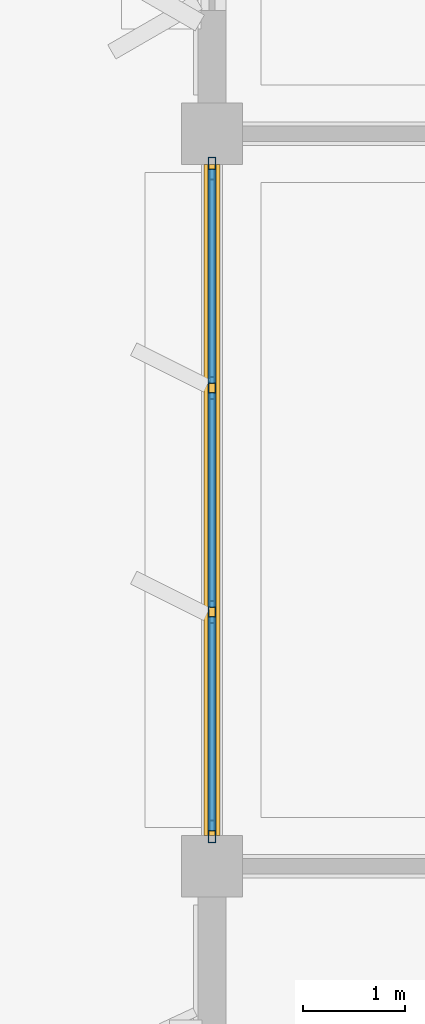
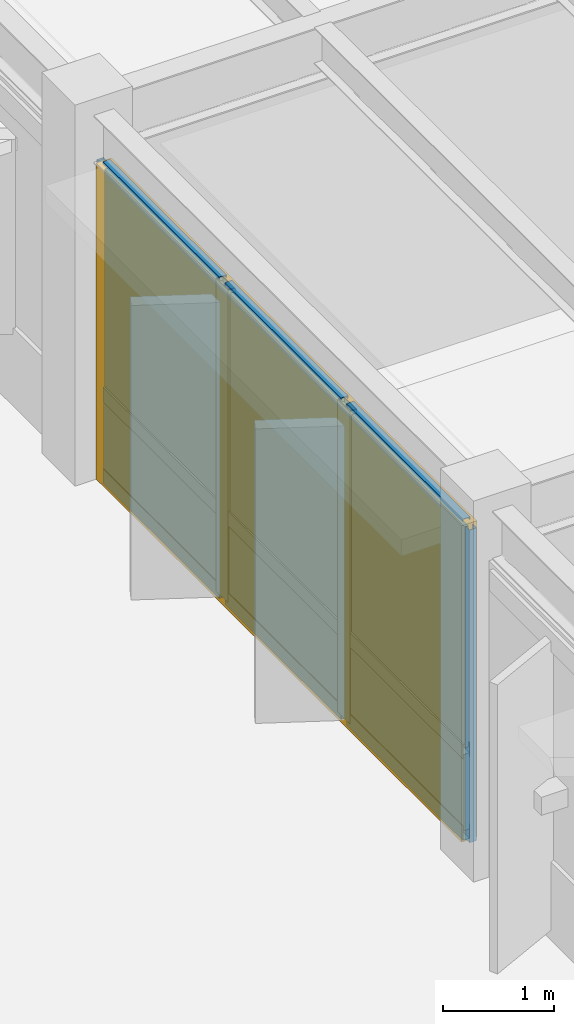
# One storey, part 55 of 85: 13 members, 6 plates, 1 curtain wall.
"""IFC4 building model written with IfcOpenShell, lengths in metres."""

from ifc_helpers import new_model, si_unit, direction, frame, origin, origin_2d, place, context, subcontext, project, spatial, rectangle, hollow_rectangle, extrude, material, layer, layer_set, material_profile, profile_set, type_object, element, aggregate, save


model = new_model("IFC4")

# Units and contexts
model_context = context("Model", 3, precision=1e-05, world=origin(), true_north=direction((0.0, 1.0)))
body_context = subcontext(model_context, "Body", "Model", "MODEL_VIEW")
ifc_project = project(units=[si_unit("LENGTHUNIT", "METRE"), si_unit("AREAUNIT", "SQUARE_METRE"), si_unit("VOLUMEUNIT", "CUBIC_METRE"), si_unit("PLANEANGLEUNIT", "RADIAN"), si_unit("MASSUNIT", "GRAM", prefix="KILO")], contexts=[model_context])

# Member
ifc_material_1 = material(Name="Anodized Aluminium 6063-T6", Category="aluminium")
ifc_material_profile_1 = material_profile(ifc_material_1, hollow_rectangle(XDim=0.074951171875, YDim=0.219970703125, WallThickness=0.0048828125, at=origin_2d()), Name="ALU 75x220x5")
ifc_profile_set_1 = profile_set([ifc_material_profile_1], Name="Anodized Aluminium 6063-T6")
member_type_1 = type_object("IfcMemberType", Name="CWM-75X180", PredefinedType="MULLION", material=ifc_profile_set_1)
site_placement = place(None, origin())
building_placement = place(site_placement, origin())
storey_placement = place(building_placement, frame((0.0, 0.0, 9.89990234375)))
member_1_placement = place(storey_placement, frame((43.199951171875, 101.139892578125, 0.02001953125), z_axis=(0.0, 0.0, 1.0), x_axis=(1.0, 0.0, 0.0)))
member_1 = element("IfcMember", 1, at=member_1_placement, type_object=member_type_1, Name="Curtain wall mullion CW-L03-06-14-W-00", PredefinedType="MULLION", context=body_context, shape_type="SweptSolid", body=[
    extrude(hollow_rectangle(XDim=0.074951171875, YDim=0.219970703125, WallThickness=0.0048828125, at=origin_2d()), origin(), (0.0, 0.0, 1.0), 3.447021484375),
])

member_2_placement = place(storey_placement, frame((43.199951171875, 103.300048828125, 0.02001953125), z_axis=(0.0, 0.0, 1.0), x_axis=(1.0, 0.0, 0.0)))
member_2 = element("IfcMember", 2, at=member_2_placement, type_object=member_type_1, Name="Curtain wall mullion CW-L03-06-14-W-01", PredefinedType="MULLION", context=body_context, shape_type="SweptSolid", body=[
    extrude(hollow_rectangle(XDim=0.074951171875, YDim=0.219970703125, WallThickness=0.0048828125, at=origin_2d()), origin(), (0.0, 0.0, 1.0), 3.447021484375),
])

member_3_placement = place(storey_placement, frame((43.199951171875, 105.5, 0.02001953125), z_axis=(0.0, 0.0, 1.0), x_axis=(1.0, 0.0, 0.0)))
member_3 = element("IfcMember", 3, at=member_3_placement, type_object=member_type_1, Name="Curtain wall mullion CW-L03-06-14-W-02", PredefinedType="MULLION", context=body_context, shape_type="SweptSolid", body=[
    extrude(hollow_rectangle(XDim=0.074951171875, YDim=0.219970703125, WallThickness=0.0048828125, at=origin_2d()), origin(), (0.0, 0.0, 1.0), 3.447021484375),
])

member_4_placement = place(storey_placement, frame((43.199951171875, 107.659912109375, 0.02001953125), z_axis=(0.0, 0.0, 1.0), x_axis=(1.0, 0.0, 0.0)))
member_4 = element("IfcMember", 4, at=member_4_placement, type_object=member_type_1, Name="Curtain wall mullion CW-L03-06-14-W-03", PredefinedType="MULLION", context=body_context, shape_type="SweptSolid", body=[
    extrude(hollow_rectangle(XDim=0.074951171875, YDim=0.219970703125, WallThickness=0.0048828125, at=origin_2d()), origin(), (0.0, 0.0, 1.0), 3.447021484375),
])

ifc_material_profile_2 = material_profile(ifc_material_1, hollow_rectangle(XDim=0.074951171875, YDim=0.159912109375, WallThickness=0.00390625, at=origin_2d()), Name="ALU 75x160x4")
ifc_profile_set_2 = profile_set([ifc_material_profile_2], Name="Anodized Aluminium 6063-T6")
member_type_2 = type_object("IfcMemberType", Name="CWT-75X150", PredefinedType="USERDEFINED", material=ifc_profile_set_2)
member_5_placement = place(storey_placement, frame((43.199951171875, 101.14990234375, 0.050048828125), z_axis=(0.0, 1.0, 0.0), x_axis=(-1.0, 0.0, 0.0)))
member_5 = element("IfcMember", 5, at=member_5_placement, type_object=member_type_2, Name="Curtain wall transom CW-L03-06-14-W-1.01", ObjectType="TRANSOM", PredefinedType="USERDEFINED", context=body_context, shape_type="SweptSolid", body=[
    extrude(hollow_rectangle(XDim=0.074951171875, YDim=0.159912109375, WallThickness=0.00390625, at=origin_2d()), origin(), (0.0, 0.0, 1.0), 2.10009765625),
])

member_6_placement = place(storey_placement, frame((43.199951171875, 103.35009765625, 0.050048828125), z_axis=(0.0, 1.0, 0.0), x_axis=(-1.0, 0.0, 0.0)))
member_6 = element("IfcMember", 6, at=member_6_placement, type_object=member_type_2, Name="Curtain wall transom CW-L03-06-14-W-1.02", ObjectType="TRANSOM", PredefinedType="USERDEFINED", context=body_context, shape_type="SweptSolid", body=[
    extrude(hollow_rectangle(XDim=0.074951171875, YDim=0.159912109375, WallThickness=0.00390625, at=origin_2d()), origin(), (0.0, 0.0, 1.0), 2.099853515625),
])

member_7_placement = place(storey_placement, frame((43.199951171875, 105.550048828125, 0.050048828125), z_axis=(0.0, 1.0, 0.0), x_axis=(-1.0, 0.0, 0.0)))
member_7 = element("IfcMember", 7, at=member_7_placement, type_object=member_type_2, Name="Curtain wall transom CW-L03-06-14-W-1.03", ObjectType="TRANSOM", PredefinedType="USERDEFINED", context=body_context, shape_type="SweptSolid", body=[
    extrude(hollow_rectangle(XDim=0.074951171875, YDim=0.159912109375, WallThickness=0.00390625, at=origin_2d()), origin(), (0.0, 0.0, 1.0), 2.099853515625),
])

member_8_placement = place(storey_placement, frame((43.199951171875, 101.14990234375, 0.9501953125), z_axis=(0.0, 1.0, 0.0), x_axis=(-1.0, 0.0, 0.0)))
member_8 = element("IfcMember", 8, at=member_8_placement, type_object=member_type_2, Name="Curtain wall transom CW-L03-06-14-W-2.01", ObjectType="TRANSOM", PredefinedType="USERDEFINED", context=body_context, shape_type="SweptSolid", body=[
    extrude(hollow_rectangle(XDim=0.074951171875, YDim=0.159912109375, WallThickness=0.00390625, at=origin_2d()), origin(), (0.0, 0.0, 1.0), 2.10009765625),
])

member_9_placement = place(storey_placement, frame((43.199951171875, 103.35009765625, 0.9501953125), z_axis=(0.0, 1.0, 0.0), x_axis=(-1.0, 0.0, 0.0)))
member_9 = element("IfcMember", 9, at=member_9_placement, type_object=member_type_2, Name="Curtain wall transom CW-L03-06-14-W-2.02", ObjectType="TRANSOM", PredefinedType="USERDEFINED", context=body_context, shape_type="SweptSolid", body=[
    extrude(hollow_rectangle(XDim=0.074951171875, YDim=0.159912109375, WallThickness=0.00390625, at=origin_2d()), origin(), (0.0, 0.0, 1.0), 2.099853515625),
])

member_10_placement = place(storey_placement, frame((43.199951171875, 105.550048828125, 0.9501953125), z_axis=(0.0, 1.0, 0.0), x_axis=(-1.0, 0.0, 0.0)))
member_10 = element("IfcMember", 10, at=member_10_placement, type_object=member_type_2, Name="Curtain wall transom CW-L03-06-14-W-2.03", ObjectType="TRANSOM", PredefinedType="USERDEFINED", context=body_context, shape_type="SweptSolid", body=[
    extrude(hollow_rectangle(XDim=0.074951171875, YDim=0.159912109375, WallThickness=0.00390625, at=origin_2d()), origin(), (0.0, 0.0, 1.0), 2.099853515625),
])

member_11_placement = place(storey_placement, frame((43.199951171875, 101.14990234375, 3.43701171875), z_axis=(0.0, 1.0, 0.0), x_axis=(-1.0, 0.0, 0.0)))
member_11 = element("IfcMember", 11, at=member_11_placement, type_object=member_type_2, Name="Curtain wall transom CW-L03-06-14-W-3.01", ObjectType="TRANSOM", PredefinedType="USERDEFINED", context=body_context, shape_type="SweptSolid", body=[
    extrude(hollow_rectangle(XDim=0.074951171875, YDim=0.159912109375, WallThickness=0.00390625, at=origin_2d()), origin(), (0.0, 0.0, 1.0), 2.10009765625),
])

member_12_placement = place(storey_placement, frame((43.199951171875, 103.35009765625, 3.43701171875), z_axis=(0.0, 1.0, 0.0), x_axis=(-1.0, 0.0, 0.0)))
member_12 = element("IfcMember", 12, at=member_12_placement, type_object=member_type_2, Name="Curtain wall transom CW-L03-06-14-W-3.02", ObjectType="TRANSOM", PredefinedType="USERDEFINED", context=body_context, shape_type="SweptSolid", body=[
    extrude(hollow_rectangle(XDim=0.074951171875, YDim=0.159912109375, WallThickness=0.00390625, at=origin_2d()), origin(), (0.0, 0.0, 1.0), 2.099853515625),
])

member_13_placement = place(storey_placement, frame((43.199951171875, 105.550048828125, 3.43701171875), z_axis=(0.0, 1.0, 0.0), x_axis=(-1.0, 0.0, 0.0)))
member_13 = element("IfcMember", 13, at=member_13_placement, type_object=member_type_2, Name="Curtain wall transom CW-L03-06-14-W-3.03", ObjectType="TRANSOM", PredefinedType="USERDEFINED", context=body_context, shape_type="SweptSolid", body=[
    extrude(hollow_rectangle(XDim=0.074951171875, YDim=0.159912109375, WallThickness=0.00390625, at=origin_2d()), origin(), (0.0, 0.0, 1.0), 2.099853515625),
])

# Plate
ifc_material_2 = material(Name="Acoustic Laminated Low-E Glazing", Category="glass")
ifc_layer_1 = layer(ifc_material_2, 0.0439453125)
ifc_layer_set_1 = layer_set([ifc_layer_1], Name="Acoustic Laminated Low-E Glazing")
plate_type_1 = type_object("IfcPlateType", Name="CWP-IGU-44", PredefinedType="CURTAIN_PANEL", material=ifc_layer_set_1)
plate_1_placement = place(storey_placement, frame((43.199951171875, 102.199951171875, 0.989990234375), z_axis=(0.0, 0.0, 1.0), x_axis=(0.0, 1.0, 0.0)))
plate_1 = element("IfcPlate", 14, at=plate_1_placement, type_object=plate_type_1, Name="Curtain wall vision glazing CW-L03-06-14-W-01", PredefinedType="CURTAIN_PANEL", context=body_context, shape_type="SweptSolid", body=[
    extrude(rectangle(XDim=2.110107421875, YDim=0.0400390625, at=origin_2d()), origin(), (0.0, 0.0, 1.0), 2.43701171875),
])

plate_2_placement = place(storey_placement, frame((43.199951171875, 104.39990234375, 0.989990234375), z_axis=(0.0, 0.0, 1.0), x_axis=(0.0, 1.0, 0.0)))
plate_2 = element("IfcPlate", 15, at=plate_2_placement, type_object=plate_type_1, Name="Curtain wall vision glazing CW-L03-06-14-W-02", PredefinedType="CURTAIN_PANEL", context=body_context, shape_type="SweptSolid", body=[
    extrude(rectangle(XDim=2.110107421875, YDim=0.0400390625, at=origin_2d()), origin(), (0.0, 0.0, 1.0), 2.43701171875),
])

plate_3_placement = place(storey_placement, frame((43.199951171875, 106.60009765625, 0.989990234375), z_axis=(0.0, 0.0, 1.0), x_axis=(0.0, 1.0, 0.0)))
plate_3 = element("IfcPlate", 16, at=plate_3_placement, type_object=plate_type_1, Name="Curtain wall vision glazing CW-L03-06-14-W-03", PredefinedType="CURTAIN_PANEL", context=body_context, shape_type="SweptSolid", body=[
    extrude(rectangle(XDim=2.110107421875, YDim=0.0400390625, at=origin_2d()), origin(), (0.0, 0.0, 1.0), 2.43701171875),
])

ifc_material_3 = material(Name="Insulated Stone-Composite Spandrel", Category="masonry")
ifc_layer_2 = layer(ifc_material_3, 0.068115234375)
ifc_layer_set_2 = layer_set([ifc_layer_2], Name="Insulated Stone-Composite Spandrel")
plate_type_2 = type_object("IfcPlateType", Name="CWP-SPN-68", PredefinedType="CURTAIN_PANEL", material=ifc_layer_set_2)
plate_4_placement = place(storey_placement, frame((43.199951171875, 102.199951171875, 0.080078125), z_axis=(0.0, 0.0, 1.0), x_axis=(0.0, 1.0, 0.0)))
plate_4 = element("IfcPlate", 17, at=plate_4_placement, type_object=plate_type_2, Name="Curtain wall spandrel panel CW-L03-06-14-W-01", PredefinedType="CURTAIN_PANEL", context=body_context, shape_type="SweptSolid", body=[
    extrude(rectangle(XDim=2.110107421875, YDim=0.06005859375, at=origin_2d()), origin(), (0.0, 0.0, 1.0), 0.840087890625),
])

plate_5_placement = place(storey_placement, frame((43.199951171875, 104.39990234375, 0.080078125), z_axis=(0.0, 0.0, 1.0), x_axis=(0.0, 1.0, 0.0)))
plate_5 = element("IfcPlate", 18, at=plate_5_placement, type_object=plate_type_2, Name="Curtain wall spandrel panel CW-L03-06-14-W-02", PredefinedType="CURTAIN_PANEL", context=body_context, shape_type="SweptSolid", body=[
    extrude(rectangle(XDim=2.110107421875, YDim=0.06005859375, at=origin_2d()), origin(), (0.0, 0.0, 1.0), 0.840087890625),
])

plate_6_placement = place(storey_placement, frame((43.199951171875, 106.60009765625, 0.080078125), z_axis=(0.0, 0.0, 1.0), x_axis=(0.0, 1.0, 0.0)))
plate_6 = element("IfcPlate", 19, at=plate_6_placement, type_object=plate_type_2, Name="Curtain wall spandrel panel CW-L03-06-14-W-03", PredefinedType="CURTAIN_PANEL", context=body_context, shape_type="SweptSolid", body=[
    extrude(rectangle(XDim=2.110107421875, YDim=0.06005859375, at=origin_2d()), origin(), (0.0, 0.0, 1.0), 0.840087890625),
])

# Site, building, storey
site = spatial("IfcSite", under=ifc_project, at=site_placement, CompositionType="ELEMENT")
building = spatial("IfcBuilding", under=site, at=building_placement, Name="Sillqori Civic Hall", CompositionType="ELEMENT")
storey = spatial("IfcBuildingStorey", under=building, at=storey_placement, Name="L03", CompositionType="ELEMENT", Elevation=9.89990234375)

# Curtain wall
ifc_material_4 = material(Name="Anodized Aluminium Curtain Wall System", Category="aluminium")
curtain_wall_type = type_object("IfcCurtainWallType", Name="CW-GL-400", PredefinedType="NOTDEFINED", material=ifc_material_4)
curtain_wall_placement = place(storey_placement, frame((43.199951171875, 104.39990234375, 0.0), z_axis=(0.0, 0.0, 1.0), x_axis=(0.0, 1.0, 0.0)))
curtain_wall = element("IfcCurtainWall", 20, at=curtain_wall_placement, inside=storey, type_object=curtain_wall_type, Name="L03 unitised curtain wall CW-L03-06-14-W", PredefinedType="NOTDEFINED", context=body_context, shape_type="SweptSolid", body=[
    extrude(rectangle(XDim=6.60009765625, YDim=0.159912109375, at=origin_2d()), origin(), (0.0, 0.0, 1.0), 3.487060546875),
])

aggregate(curtain_wall, [member_1, member_2, member_3, member_4, member_5, member_6, member_7, member_8, member_9, member_10, member_11, member_12, member_13, plate_4, plate_1, plate_5, plate_2, plate_6, plate_3])

save(model, "model.ifc")
